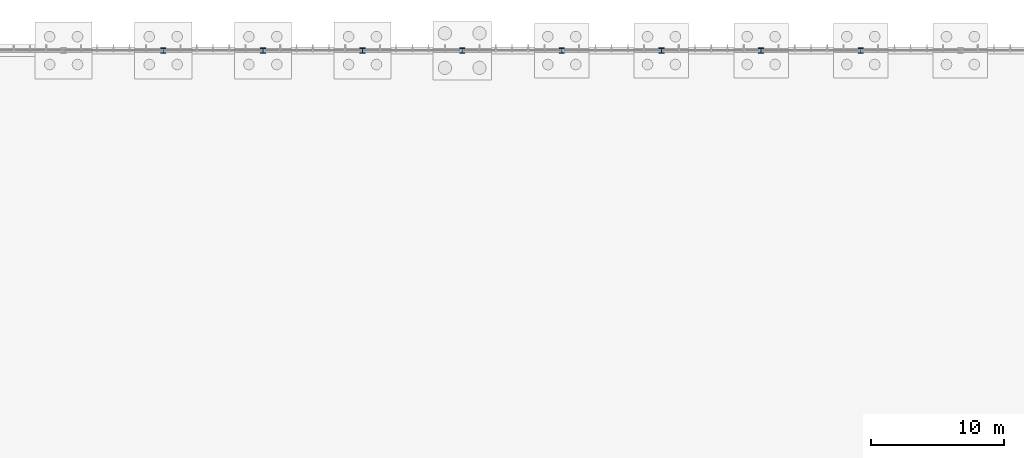
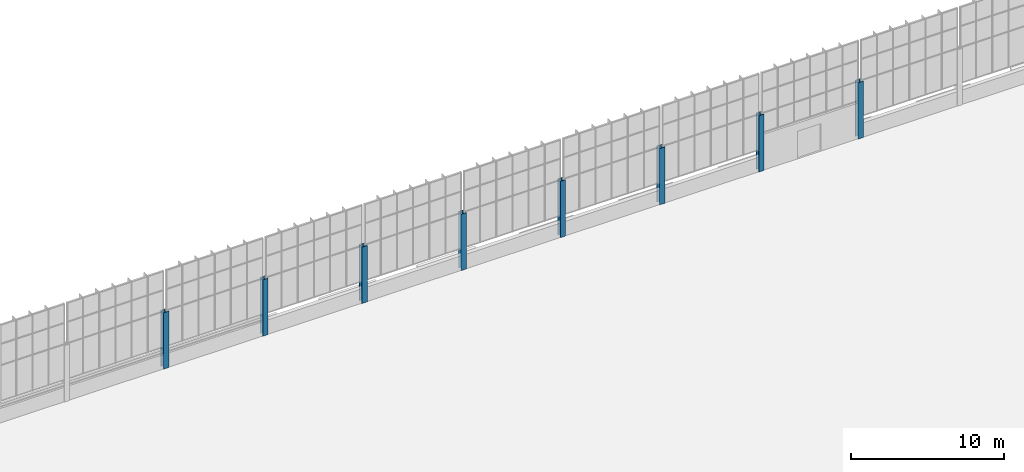
# One storey, part 20 of 136: 8 columns.
"""IFC4 building model written with IfcOpenShell, lengths in metres."""

from ifc_helpers import new_model, si_unit, direction, frame, origin, origin_2d, place, context, subcontext, project, spatial, i_section, extrude, material, material_profile, profile_set, type_object, element, save


model = new_model("IFC4")

# Units and contexts
model_context = context("Model", 3, precision=1e-05, world=origin(), true_north=direction((0.0, 1.0)))
body_context = subcontext(model_context, "Body", "Model", "MODEL_VIEW")
ifc_project = project(units=[si_unit("LENGTHUNIT", "METRE"), si_unit("AREAUNIT", "SQUARE_METRE"), si_unit("VOLUMEUNIT", "CUBIC_METRE"), si_unit("PLANEANGLEUNIT", "RADIAN"), si_unit("MASSUNIT", "GRAM", prefix="KILO")], contexts=[model_context])

# Site, building, storey
site_placement = place(None, origin())
site = spatial("IfcSite", under=ifc_project, at=site_placement, CompositionType="ELEMENT")
building_placement = place(site_placement, origin())
building = spatial("IfcBuilding", under=site, at=building_placement, Name="Solvenia Promenade Tram Depot", CompositionType="ELEMENT")
storey_placement = place(building_placement, origin())
storey = spatial("IfcBuildingStorey", under=building, at=storey_placement, Name="L00", CompositionType="ELEMENT", Elevation=0.0)

# Columns
ifc_material = material(Name="Structural steel ASTM A992 Gr. 50", Category="steel")
ifc_material_profile = material_profile(ifc_material, i_section(OverallWidth=0.39794921875, OverallDepth=0.386962890625, WebThickness=0.0244140625, FlangeThickness=0.03955078125, FilletRadius=0.01806640625, at=origin_2d()), Name="W360x262", Category="steel")
ifc_profile_set = profile_set([ifc_material_profile], Name="Structural steel ASTM A992 Gr. 50")
column_type = type_object("IfcColumnType", Name="Col-W360x262", PredefinedType="COLUMN", material=ifc_profile_set)
for number, where, z_axis, x_axis, name in (
    (1, (67.5, 126.0, 0.0), (0.0, 0.0, 1.0), (1.0, 0.0, 0.0), "Steel Column COL-L00-158"),
    (2, (75.0, 126.0, 0.0), (0.0, 0.0, 1.0), (1.0, 0.0, 0.0), "Steel Column COL-L00-169"),
    (3, (82.5, 126.0, 0.0), (0.0, 0.0, 1.0), (1.0, 0.0, 0.0), "Steel Column COL-L00-180"),
    (4, (90.0, 126.0, 0.0), (0.0, 0.0, 1.0), (1.0, 0.0, 0.0), "Steel Column COL-L00-189"),
    (5, (97.5, 126.0, 0.0), (0.0, 0.0, 1.0), (1.0, 0.0, 0.0), "Steel Column COL-L00-194"),
    (6, (105.0, 126.0, 0.0), (0.0, 0.0, 1.0), (1.0, 0.0, 0.0), "Steel Column COL-L00-209"),
    (7, (112.5, 126.0, 0.0), (0.0, 0.0, 1.0), (1.0, 0.0, 0.0), "Steel Column COL-L00-224"),
    (8, (120.0, 126.0, 0.0), (0.0, 0.0, 1.0), (1.0, 0.0, 0.0), "Steel Column COL-L00-242"),
):
    element("IfcColumn", number, at=place(storey_placement, frame(where, z_axis=z_axis, x_axis=x_axis)), inside=storey, type_object=column_type, Name=name, PredefinedType="COLUMN", context=body_context, shape_type="SweptSolid", body=[
        extrude(i_section(OverallWidth=0.39794921875, OverallDepth=0.386962890625, WebThickness=0.0244140625, FlangeThickness=0.03955078125, FilletRadius=0.01806640625, at=origin_2d()), origin(), (0.0, 0.0, 1.0), 4.5),
    ])

save(model, "model.ifc")
